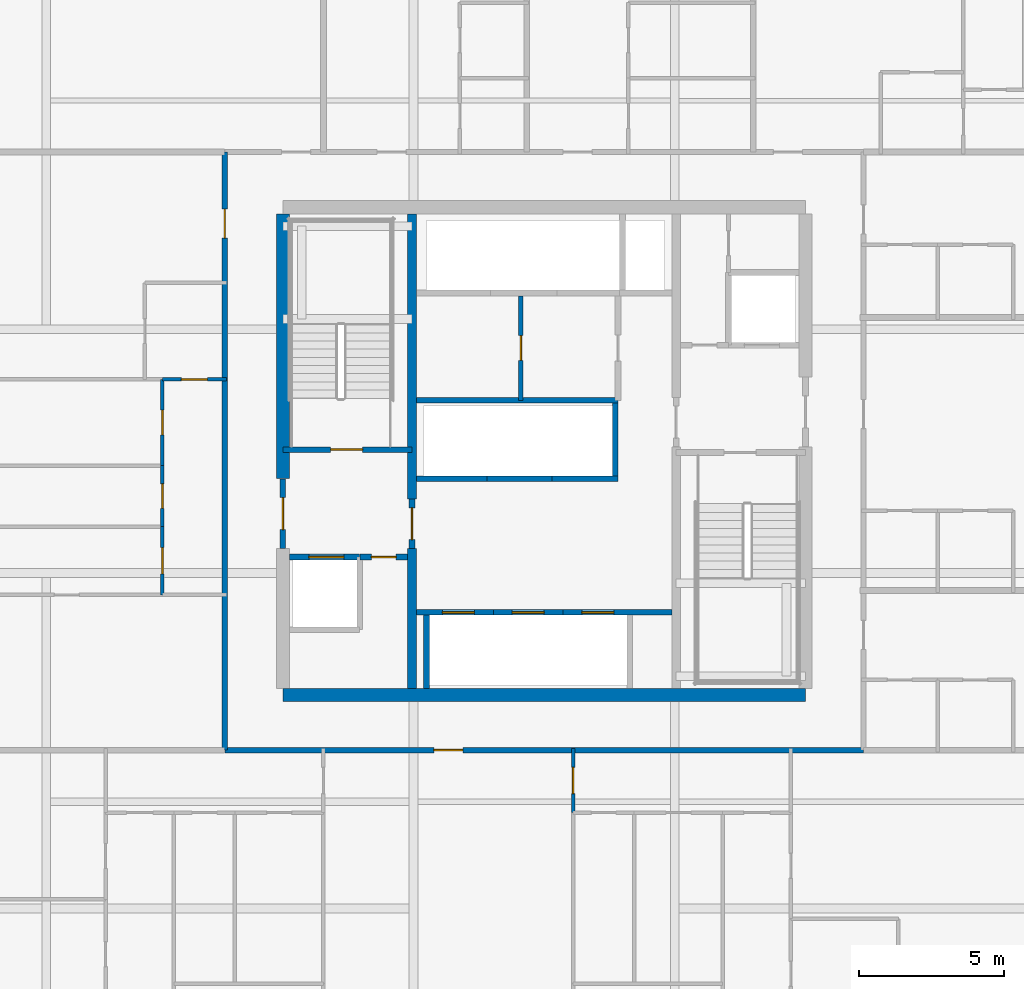
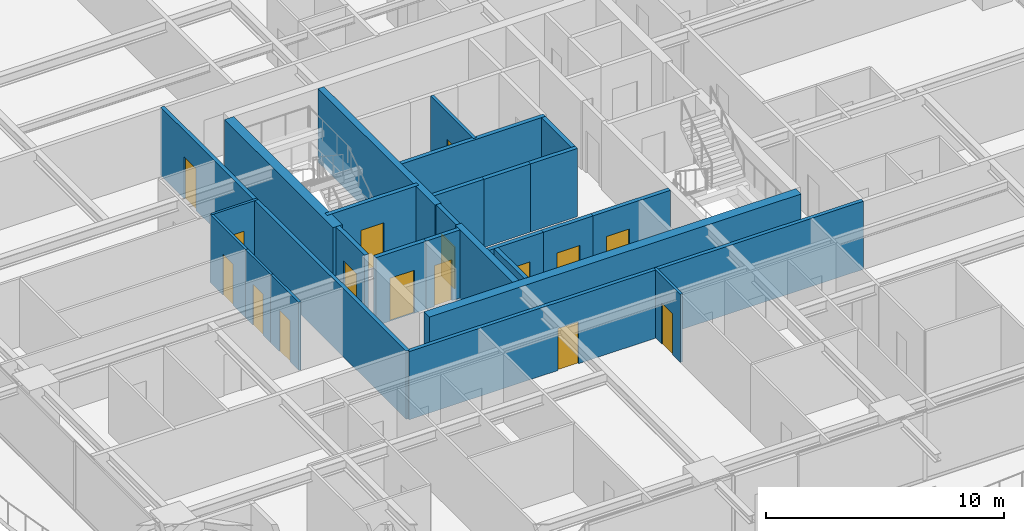
# One storey, part 28 of 40: 26 walls, 16 doors, 16 openings.
"""IFC4 building model written with IfcOpenShell, lengths in metres."""

from ifc_helpers import new_model, si_unit, direction, frame, frame_2d, origin, place, context, subcontext, project, spatial, rectangle, extrude, source, transform, mapped, material, layer, layer_set, type_object, element, fill, save


model = new_model("IFC4")

# Units and contexts
model_context = context("Model", 3, precision=1e-05, world=origin(), true_north=direction((0.0, 1.0)))
body_context = subcontext(model_context, "Body", "Model", "MODEL_VIEW")
ifc_project = project(units=[si_unit("LENGTHUNIT", "METRE"), si_unit("AREAUNIT", "SQUARE_METRE"), si_unit("VOLUMEUNIT", "CUBIC_METRE"), si_unit("PLANEANGLEUNIT", "RADIAN"), si_unit("MASSUNIT", "GRAM", prefix="KILO")], contexts=[model_context])

# Site, building, storey
site_placement = place(None, origin())
site = spatial("IfcSite", under=ifc_project, at=site_placement, CompositionType="ELEMENT")
building_placement = place(site_placement, origin())
building = spatial("IfcBuilding", under=site, at=building_placement, Name="Serunith Strait Residences", CompositionType="ELEMENT")
storey_placement = place(building_placement, frame((0.0, 0.0, 90.449951171875)))
storey = spatial("IfcBuildingStorey", under=building, at=storey_placement, Name="L22", CompositionType="ELEMENT", Elevation=90.449951171875)

# Wall, opening, door
ifc_material_1 = material(Name="Fire-rated masonry service closet wall", Category="masonry")
ifc_layer_1 = layer(ifc_material_1, 0.14990234375, Name="Fire-rated masonry service closet wall")
ifc_layer_set_1 = layer_set([ifc_layer_1], Name="Fire-rated masonry service closet wall")
wall_type_1 = type_object("IfcWallType", Name="IW-BOH-150", PredefinedType="PARTITIONING", material=ifc_layer_set_1)
wall_1_placement = place(storey_placement, frame((31.60009765625, 26.949951171875, 0.0), z_axis=(0.0, 0.0, 1.0), x_axis=(0.0, 1.0, 0.0)))
wall_1 = element("IfcWall", 1, at=wall_1_placement, inside=storey, type_object=wall_type_1, Name="L22 Partition Wall 014", PredefinedType="PARTITIONING", context=body_context, shape_type="SweptSolid", body=[
    extrude(rectangle(XDim=3.60009765625, YDim=0.14990234375, at=frame_2d((1.800048828125, 0.0))), origin(), (0.0, 0.0, 1.0), 3.489990234375),
])
opening_1_placement = place(wall_1_placement, frame((1.375, 0.0, 0.0)))
opening_1 = element("IfcOpeningElement", 2, at=opening_1_placement, cuts=wall_1, Name="Opening FD-850", PredefinedType="OPENING", context=body_context, shape_type="SweptSolid", body=[
    extrude(rectangle(XDim=0.85009765625, YDim=2.10009765625, at=frame_2d((0.425048828125, 1.050048828125))), frame((0.0, 0.0849609375, 0.0), z_axis=(0.0, -1.0, 0.0), x_axis=(1.0, 0.0, 0.0)), (0.0, 0.0, 1.0), 0.169921875),
])
ifc_material_2 = material(Name="Powder-coated steel service closet door", Category="steel")
door_type_1 = type_object("IfcDoorType", Name="FD-BOH-850", OperationType="NOTDEFINED", PredefinedType="DOOR", material=ifc_material_2)
shared_shape_1 = source(origin(), body_context, "Body", "SweptSolid", [
    extrude(rectangle(XDim=0.85009765625, YDim=2.10009765625, at=frame_2d((0.425048828125, 1.050048828125))), frame((0.0, 0.02490234375, 0.0), z_axis=(0.0, -1.0, 0.0), x_axis=(1.0, 0.0, 0.0)), (0.0, 0.0, 1.0), 0.050048828125),
])
door_1_placement = place(opening_1_placement, origin())
door_1 = element("IfcDoor", 3, at=door_1_placement, inside=storey, type_object=door_type_1, Name="L22 Zone Telecoms Door", OperationType="SINGLE_SWING_RIGHT", OverallHeight=2.10009765625, OverallWidth=0.85009765625, PredefinedType="DOOR", context=body_context, shape_type="MappedRepresentation", body=[
    mapped(shared_shape_1, transform((0.0, 0.0, 0.0), scale=1.0)),
])
fill(opening_1, door_1)

ifc_material_3 = material(Name="Fire-rated acoustic gypsum partition")
ifc_layer_2 = layer(ifc_material_3, 0.179931640625, Name="Fire-rated acoustic gypsum partition")
ifc_layer_set_2 = layer_set([ifc_layer_2], Name="Fire-rated acoustic gypsum partition")
wall_type_2 = type_object("IfcWallType", Name="IW-CORR-180", PredefinedType="PARTITIONING", material=ifc_layer_set_2)
wall_2_placement = place(storey_placement, frame((21.402099609375, 14.89990234375, 0.0), z_axis=(0.0, 0.0, 1.0), x_axis=(1.0, 0.0, 0.0)))
wall_2 = element("IfcWall", 4, at=wall_2_placement, inside=storey, type_object=wall_type_2, Name="L22 Partition Wall 024", PredefinedType="PARTITIONING", context=body_context, shape_type="SweptSolid", body=[
    extrude(rectangle(XDim=21.995849609375, YDim=0.179931640625, at=frame_2d((10.998046875, 0.0))), origin(), (0.0, 0.0, 1.0), 3.489990234375),
])
opening_2_placement = place(wall_2_placement, frame((7.201904296875, 0.0, 0.0)))
opening_2 = element("IfcOpeningElement", 5, at=opening_2_placement, cuts=wall_2, Name="Opening D-APT1000", PredefinedType="OPENING", context=body_context, shape_type="SweptSolid", body=[
    extrude(rectangle(XDim=1.0, YDim=2.14990234375, at=frame_2d((0.5, 1.074951171875))), frame((0.0, 0.10009765625, 0.0), z_axis=(0.0, -1.0, 0.0), x_axis=(1.0, 0.0, 0.0)), (0.0, 0.0, 1.0), 0.199951171875),
])
ifc_material_4 = material(Name="Solid timber engineered fire door", Category="wood")
door_type_2 = type_object("IfcDoorType", Name="ID-APT-1000", OperationType="NOTDEFINED", PredefinedType="DOOR", material=ifc_material_4)
shared_shape_2 = source(origin(), body_context, "Body", "SweptSolid", [
    extrude(rectangle(XDim=1.0, YDim=2.14990234375, at=frame_2d((0.5, 1.074951171875))), frame((0.0, 0.02490234375, 0.0), z_axis=(0.0, -1.0, 0.0), x_axis=(1.0, 0.0, 0.0)), (0.0, 0.0, 1.0), 0.050048828125),
])
door_2_placement = place(opening_2_placement, origin())
door_2 = element("IfcDoor", 6, at=door_2_placement, inside=storey, type_object=door_type_2, Name="L22 Unit 01 Entrance Door", OperationType="SINGLE_SWING_LEFT", OverallHeight=2.14990234375, OverallWidth=1.0, PredefinedType="DOOR", context=body_context, shape_type="MappedRepresentation", body=[
    mapped(shared_shape_2, transform((0.0, 0.0, 0.0), scale=1.0)),
])
fill(opening_2, door_2)

wall_3_placement = place(storey_placement, frame((21.39990234375, 14.89990234375, 0.0), z_axis=(0.0, 0.0, 1.0), x_axis=(0.0, 1.0, 0.0)))
wall_3 = element("IfcWall", 7, at=wall_3_placement, inside=storey, type_object=wall_type_2, Name="L22 Partition Wall 026", PredefinedType="PARTITIONING", context=body_context, shape_type="SweptSolid", body=[
    extrude(rectangle(XDim=20.60009765625, YDim=0.179931640625, at=frame_2d((10.300048828125, 0.0))), origin(), (0.0, 0.0, 1.0), 3.489990234375),
])
opening_3_placement = place(wall_3_placement, frame((17.639892578125, 0.0, 0.0)))
opening_3 = element("IfcOpeningElement", 8, at=opening_3_placement, cuts=wall_3, Name="Opening D-APT1000", PredefinedType="OPENING", context=body_context, shape_type="SweptSolid", body=[
    extrude(rectangle(XDim=1.0, YDim=2.14990234375, at=frame_2d((0.5, 1.074951171875))), frame((0.0, 0.10009765625, 0.0), z_axis=(0.0, -1.0, 0.0), x_axis=(1.0, 0.0, 0.0)), (0.0, 0.0, 1.0), 0.199951171875),
])
door_3_placement = place(opening_3_placement, origin())
door_3 = element("IfcDoor", 9, at=door_3_placement, inside=storey, type_object=door_type_2, Name="L22 Unit 06 Entrance Door", OperationType="SINGLE_SWING_RIGHT", OverallHeight=2.14990234375, OverallWidth=1.0, PredefinedType="DOOR", context=body_context, shape_type="MappedRepresentation", body=[
    mapped(shared_shape_2, transform((0.0, 0.0, 0.0), scale=1.0)),
])
fill(opening_3, door_3)

ifc_material_5 = material(Name="Lightweight steel-stud gypsum partition", Category="steel")
ifc_layer_3 = layer(ifc_material_5, 0.1201171875, Name="Lightweight steel-stud gypsum partition")
ifc_layer_set_3 = layer_set([ifc_layer_3], Name="Lightweight steel-stud gypsum partition")
wall_type_3 = type_object("IfcWallType", Name="IW-PART-120", PredefinedType="PARTITIONING", material=ifc_layer_set_3)
wall_4_placement = place(storey_placement, frame((33.39990234375, 12.75, 0.0), z_axis=(0.0, 0.0, 1.0), x_axis=(0.0, 1.0, 0.0)))
wall_4 = element("IfcWall", 10, at=wall_4_placement, inside=storey, type_object=wall_type_3, Name="L22 Partition Wall 043", PredefinedType="PARTITIONING", context=body_context, shape_type="SweptSolid", body=[
    extrude(rectangle(XDim=2.2099609375, YDim=0.1201171875, at=frame_2d((1.10498046875, 0.0))), origin(), (0.0, 0.0, 1.0), 3.489990234375),
])
opening_4_placement = place(wall_4_placement, frame((0.655029296875, 0.0, 0.0)))
opening_4 = element("IfcOpeningElement", 11, at=opening_4_placement, cuts=wall_4, Name="Opening D-RM900", PredefinedType="OPENING", context=body_context, shape_type="SweptSolid", body=[
    extrude(rectangle(XDim=0.89990234375, YDim=2.10009765625, at=frame_2d((0.449951171875, 1.050048828125))), frame((0.0, 0.070068359375, 0.0), z_axis=(0.0, -1.0, 0.0), x_axis=(1.0, 0.0, 0.0)), (0.0, 0.0, 1.0), 0.14013671875),
])
ifc_material_6 = material(Name="Engineered timber flush bedroom door", Category="wood")
door_type_3 = type_object("IfcDoorType", Name="ID-ROOM-900", OperationType="NOTDEFINED", PredefinedType="DOOR", material=ifc_material_6)
shared_shape_3 = source(origin(), body_context, "Body", "SweptSolid", [
    extrude(rectangle(XDim=0.89990234375, YDim=2.10009765625, at=frame_2d((0.449951171875, 1.050048828125))), frame((0.0, 0.02490234375, 0.0), z_axis=(0.0, -1.0, 0.0), x_axis=(1.0, 0.0, 0.0)), (0.0, 0.0, 1.0), 0.050048828125),
])
door_4_placement = place(opening_4_placement, origin())
door_4 = element("IfcDoor", 12, at=door_4_placement, inside=storey, type_object=door_type_3, Name="L22 Hall E 2201 Door", OperationType="SINGLE_SWING_LEFT", OverallHeight=2.10009765625, OverallWidth=0.89990234375, PredefinedType="DOOR", context=body_context, shape_type="MappedRepresentation", body=[
    mapped(shared_shape_3, transform((0.0, 0.0, 0.0), scale=1.0)),
])
fill(opening_4, door_4)

wall_5_placement = place(storey_placement, frame((19.25, 27.669921875, 0.0), z_axis=(0.0, 0.0, 1.0), x_axis=(1.0, 0.0, 0.0)))
wall_5 = element("IfcWall", 13, at=wall_5_placement, inside=storey, type_object=wall_type_3, Name="L22 Partition Wall 087", PredefinedType="PARTITIONING", context=body_context, shape_type="SweptSolid", body=[
    extrude(rectangle(XDim=2.2099609375, YDim=0.1201171875, at=frame_2d((1.10498046875, 0.0))), origin(), (0.0, 0.0, 1.0), 3.489990234375),
])
opening_5_placement = place(wall_5_placement, frame((0.655029296875, 0.0, 0.0)))
opening_5 = element("IfcOpeningElement", 14, at=opening_5_placement, cuts=wall_5, Name="Opening D-RM900", PredefinedType="OPENING", context=body_context, shape_type="SweptSolid", body=[
    extrude(rectangle(XDim=0.89990234375, YDim=2.10009765625, at=frame_2d((0.449951171875, 1.050048828125))), frame((0.0, 0.070068359375, 0.0), z_axis=(0.0, -1.0, 0.0), x_axis=(1.0, 0.0, 0.0)), (0.0, 0.0, 1.0), 0.14013671875),
])
door_5_placement = place(opening_5_placement, origin())
door_5 = element("IfcDoor", 15, at=door_5_placement, inside=storey, type_object=door_type_3, Name="L22 Hall W 2206 Door", OperationType="SINGLE_SWING_LEFT", OverallHeight=2.10009765625, OverallWidth=0.89990234375, PredefinedType="DOOR", context=body_context, shape_type="MappedRepresentation", body=[
    mapped(shared_shape_3, transform((0.0, 0.0, 0.0), scale=1.0)),
])
fill(opening_5, door_5)

wall_6_placement = place(storey_placement, frame((19.25, 22.60009765625, 0.0), z_axis=(0.0, 0.0, 1.0), x_axis=(0.0, 1.0, 0.0)))
wall_6 = element("IfcWall", 16, at=wall_6_placement, inside=storey, type_object=wall_type_3, Name="L22 Partition Wall 093", PredefinedType="PARTITIONING", context=body_context, shape_type="SweptSolid", body=[
    extrude(rectangle(XDim=2.099853515625, YDim=0.1201171875, at=frame_2d((1.0498046875, 0.0))), origin(), (0.0, 0.0, 1.0), 3.489990234375),
])
opening_6_placement = place(wall_6_placement, frame((0.625, 0.0, 0.0)))
opening_6 = element("IfcOpeningElement", 17, at=opening_6_placement, cuts=wall_6, Name="Opening D-BTH850", PredefinedType="OPENING", context=body_context, shape_type="SweptSolid", body=[
    extrude(rectangle(XDim=0.85009765625, YDim=2.10009765625, at=frame_2d((0.425048828125, 1.050048828125))), frame((0.0, 0.070068359375, 0.0), z_axis=(0.0, -1.0, 0.0), x_axis=(1.0, 0.0, 0.0)), (0.0, 0.0, 1.0), 0.14013671875),
])
ifc_material_7 = material(Name="Moisture-resistant timber bathroom door", Category="wood")
door_type_4 = type_object("IfcDoorType", Name="ID-BATH-850", OperationType="NOTDEFINED", PredefinedType="DOOR", material=ifc_material_7)
door_6_placement = place(opening_6_placement, origin())
door_6 = element("IfcDoor", 18, at=door_6_placement, inside=storey, type_object=door_type_4, Name="L22 Bathroom 2206 Door", OperationType="SINGLE_SWING_LEFT", OverallHeight=2.10009765625, OverallWidth=0.85009765625, PredefinedType="DOOR", context=body_context, shape_type="MappedRepresentation", body=[
    mapped(shared_shape_1, transform((0.0, 0.0, 0.0), scale=1.0)),
])
fill(opening_6, door_6)

wall_7_placement = place(storey_placement, frame((19.25, 24.701904296875, 0.0), z_axis=(0.0, 0.0, 1.0), x_axis=(0.0, 1.0, 0.0)))
wall_7 = element("IfcWall", 19, at=wall_7_placement, inside=storey, type_object=wall_type_3, Name="L22 Partition Wall 094", PredefinedType="PARTITIONING", context=body_context, shape_type="SweptSolid", body=[
    extrude(rectangle(XDim=2.968017578125, YDim=0.1201171875, at=frame_2d((1.48388671875, 0.0))), origin(), (0.0, 0.0, 1.0), 3.489990234375),
])
opening_7_placement = place(wall_7_placement, frame((1.05908203125, 0.0, 0.0)))
opening_7 = element("IfcOpeningElement", 20, at=opening_7_placement, cuts=wall_7, Name="Opening D-RM850", PredefinedType="OPENING", context=body_context, shape_type="SweptSolid", body=[
    extrude(rectangle(XDim=0.85009765625, YDim=2.10009765625, at=frame_2d((0.425048828125, 1.050048828125))), frame((0.0, 0.070068359375, 0.0), z_axis=(0.0, -1.0, 0.0), x_axis=(1.0, 0.0, 0.0)), (0.0, 0.0, 1.0), 0.14013671875),
])
ifc_material_8 = material(Name="Engineered timber flush study and kitchen door", Category="wood")
door_type_5 = type_object("IfcDoorType", Name="ID-ROOM-850", OperationType="NOTDEFINED", PredefinedType="DOOR", material=ifc_material_8)
door_7_placement = place(opening_7_placement, origin())
door_7 = element("IfcDoor", 21, at=door_7_placement, inside=storey, type_object=door_type_5, Name="L22 Study 2206 Door", OperationType="SINGLE_SWING_RIGHT", OverallHeight=2.10009765625, OverallWidth=0.85009765625, PredefinedType="DOOR", context=body_context, shape_type="MappedRepresentation", body=[
    mapped(shared_shape_1, transform((0.0, 0.0, 0.0), scale=1.0)),
])
fill(opening_7, door_7)

wall_8_placement = place(storey_placement, frame((19.25, 20.25, 0.0), z_axis=(0.0, 0.0, 1.0), x_axis=(0.0, 1.0, 0.0)))
wall_8 = element("IfcWall", 22, at=wall_8_placement, inside=storey, type_object=wall_type_3, Name="L22 Partition Wall 095", PredefinedType="PARTITIONING", context=body_context, shape_type="SweptSolid", body=[
    extrude(rectangle(XDim=2.347900390625, YDim=0.1201171875, at=frame_2d((1.173828125, 0.0))), origin(), (0.0, 0.0, 1.0), 3.489990234375),
])
opening_8_placement = place(wall_8_placement, frame((0.72412109375, 0.0, 0.0)))
opening_8 = element("IfcOpeningElement", 23, at=opening_8_placement, cuts=wall_8, Name="Opening D-RM900", PredefinedType="OPENING", context=body_context, shape_type="SweptSolid", body=[
    extrude(rectangle(XDim=0.89990234375, YDim=2.10009765625, at=frame_2d((0.449951171875, 1.050048828125))), frame((0.0, 0.070068359375, 0.0), z_axis=(0.0, -1.0, 0.0), x_axis=(1.0, 0.0, 0.0)), (0.0, 0.0, 1.0), 0.14013671875),
])
door_8_placement = place(opening_8_placement, origin())
door_8 = element("IfcDoor", 24, at=door_8_placement, inside=storey, type_object=door_type_3, Name="L22 Master Bedroom W 2206 Door", OperationType="SINGLE_SWING_LEFT", OverallHeight=2.10009765625, OverallWidth=0.89990234375, PredefinedType="DOOR", context=body_context, shape_type="MappedRepresentation", body=[
    mapped(shared_shape_3, transform((0.0, 0.0, 0.0), scale=1.0)),
])
fill(opening_8, door_8)

ifc_material_9 = material(Name="Autoclaved aerated concrete blockwork", Category="masonry")
ifc_layer_4 = layer(ifc_material_9, 0.199951171875, Name="Autoclaved aerated concrete blockwork")
ifc_layer_set_4 = layer_set([ifc_layer_4], Name="Autoclaved aerated concrete blockwork")
wall_type_4 = type_object("IfcWallType", Name="IW-SHAFT-200", PredefinedType="STANDARD", material=ifc_layer_set_4)
wall_9_placement = place(storey_placement, frame((23.39990234375, 25.25, 0.0), z_axis=(0.0, 0.0, 1.0), x_axis=(1.0, 0.0, 0.0)))
wall_9 = element("IfcWall", 25, at=wall_9_placement, inside=storey, type_object=wall_type_4, Name="L22 ST-1 South Shaft Wall", PredefinedType="STANDARD", context=body_context, shape_type="SweptSolid", body=[
    extrude(rectangle(XDim=4.4501953125, YDim=0.199951171875, at=frame_2d((2.22509765625, 0.0))), origin(), (0.0, 0.0, 1.0), 3.489990234375),
])
opening_9_placement = place(wall_9_placement, frame((1.64990234375, 0.0, 0.0)))
opening_9 = element("IfcOpeningElement", 26, at=opening_9_placement, cuts=wall_9, Name="Opening FD-1100", PredefinedType="OPENING", context=body_context, shape_type="SweptSolid", body=[
    extrude(rectangle(XDim=1.10009765625, YDim=2.14990234375, at=frame_2d((0.550048828125, 1.074951171875))), frame((0.0, 0.10986328125, 0.0), z_axis=(0.0, -1.0, 0.0), x_axis=(1.0, 0.0, 0.0)), (0.0, 0.0, 1.0), 0.219970703125),
])
ifc_material_10 = material(Name="Galvanised steel fire door leaf", Category="steel")
door_type_6 = type_object("IfcDoorType", Name="FD-STAIR-1100", OperationType="NOTDEFINED", PredefinedType="DOOR", material=ifc_material_10)
shared_shape_4 = source(origin(), body_context, "Body", "SweptSolid", [
    extrude(rectangle(XDim=1.10009765625, YDim=2.14990234375, at=frame_2d((0.550048828125, 1.074951171875))), frame((0.0, 0.02490234375, 0.0), z_axis=(0.0, -1.0, 0.0), x_axis=(1.0, 0.0, 0.0)), (0.0, 0.0, 1.0), 0.050048828125),
])
door_9_placement = place(opening_9_placement, origin())
door_9 = element("IfcDoor", 27, at=door_9_placement, inside=storey, type_object=door_type_6, Name="L22 ST-1 Escape Stair Door", OperationType="SINGLE_SWING_RIGHT", OverallHeight=2.14990234375, OverallWidth=1.10009765625, PredefinedType="DOOR", context=body_context, shape_type="MappedRepresentation", body=[
    mapped(shared_shape_4, transform((0.0, 0.0, 0.0), scale=1.0)),
])
fill(opening_9, door_9)

wall_10_placement = place(storey_placement, frame((23.625, 21.550048828125, 0.0), z_axis=(0.0, 0.0, 1.0), x_axis=(1.0, 0.0, 0.0)))
wall_10 = element("IfcWall", 28, at=wall_10_placement, inside=storey, type_object=wall_type_4, Name="L22 FL-1 North Shaft Wall", PredefinedType="STANDARD", context=body_context, shape_type="SweptSolid", body=[
    extrude(rectangle(XDim=2.425048828125, YDim=0.199951171875, at=frame_2d((1.21240234375, 0.0))), origin(), (0.0, 0.0, 1.0), 3.489990234375),
])
opening_10_placement = place(wall_10_placement, frame((0.675048828125, 0.0, 0.0)))
opening_10 = element("IfcOpeningElement", 29, at=opening_10_placement, cuts=wall_10, Name="Opening LD-FF1200", PredefinedType="OPENING", context=body_context, shape_type="SweptSolid", body=[
    extrude(rectangle(XDim=1.199951171875, YDim=2.199951171875, at=frame_2d((0.60009765625, 1.10009765625))), frame((0.0, 0.10986328125, 0.0), z_axis=(0.0, -1.0, 0.0), x_axis=(1.0, 0.0, 0.0)), (0.0, 0.0, 1.0), 0.219970703125),
])
ifc_material_11 = material(Name="Brushed stainless steel landing door", Category="steel")
door_type_7 = type_object("IfcDoorType", Name="LD-FF-1200", OperationType="DOUBLE_DOOR_SLIDING", PredefinedType="DOOR", material=ifc_material_11)
shared_shape_5 = source(origin(), body_context, "Body", "SweptSolid", [
    extrude(rectangle(XDim=1.199951171875, YDim=2.199951171875, at=frame_2d((0.60009765625, 1.10009765625))), frame((0.0, 0.02490234375, 0.0), z_axis=(0.0, -1.0, 0.0), x_axis=(1.0, 0.0, 0.0)), (0.0, 0.0, 1.0), 0.050048828125),
])
door_10_placement = place(opening_10_placement, origin())
door_10 = element("IfcDoor", 30, at=door_10_placement, inside=storey, type_object=door_type_7, Name="L22 FL-1 Landing Door", OperationType="DOUBLE_DOOR_SLIDING", OverallHeight=2.199951171875, OverallWidth=1.199951171875, PredefinedType="DOOR", context=body_context, shape_type="MappedRepresentation", body=[
    mapped(shared_shape_5, transform((0.0, 0.0, 0.0), scale=1.0)),
])
fill(opening_10, door_10)

wall_11_placement = place(storey_placement, frame((28.0, 19.64990234375, 0.0), z_axis=(0.0, 0.0, 1.0), x_axis=(1.0, 0.0, 0.0)))
wall_11 = element("IfcWall", 31, at=wall_11_placement, inside=storey, type_object=wall_type_4, Name="L22 PL-1 North Shaft Wall", PredefinedType="STANDARD", context=body_context, shape_type="SweptSolid", body=[
    extrude(rectangle(XDim=2.64990234375, YDim=0.199951171875, at=frame_2d((1.324951171875, 0.0))), origin(), (0.0, 0.0, 1.0), 3.489990234375),
])
opening_11_placement = place(wall_11_placement, frame((0.89990234375, 0.0, 0.0)))
opening_11 = element("IfcOpeningElement", 32, at=opening_11_placement, cuts=wall_11, Name="Opening LD-1100", PredefinedType="OPENING", context=body_context, shape_type="SweptSolid", body=[
    extrude(rectangle(XDim=1.10009765625, YDim=2.199951171875, at=frame_2d((0.550048828125, 1.10009765625))), frame((0.0, 0.10986328125, 0.0), z_axis=(0.0, -1.0, 0.0), x_axis=(1.0, 0.0, 0.0)), (0.0, 0.0, 1.0), 0.219970703125),
])
ifc_material_12 = material(Name="Pale-champagne stainless landing door")
door_type_8 = type_object("IfcDoorType", Name="LD-LIFT-1100", OperationType="DOUBLE_DOOR_SLIDING", PredefinedType="DOOR", material=ifc_material_12)
shared_shape_6 = source(origin(), body_context, "Body", "SweptSolid", [
    extrude(rectangle(XDim=1.10009765625, YDim=2.199951171875, at=frame_2d((0.550048828125, 1.10009765625))), frame((0.0, 0.02490234375, 0.0), z_axis=(0.0, -1.0, 0.0), x_axis=(1.0, 0.0, 0.0)), (0.0, 0.0, 1.0), 0.050048828125),
])
door_11_placement = place(opening_11_placement, origin())
door_11 = element("IfcDoor", 33, at=door_11_placement, inside=storey, type_object=door_type_8, Name="L22 PL-1 Landing Door", OperationType="DOUBLE_DOOR_SLIDING", OverallHeight=2.199951171875, OverallWidth=1.10009765625, PredefinedType="DOOR", context=body_context, shape_type="MappedRepresentation", body=[
    mapped(shared_shape_6, transform((0.0, 0.0, 0.0), scale=1.0)),
])
fill(opening_11, door_11)

# Wall
wall_12_placement = place(storey_placement, frame((28.35009765625, 17.02490234375, 0.0), z_axis=(0.0, 0.0, 1.0), x_axis=(0.0, 1.0, 0.0)))
element("IfcWall", 34, at=wall_12_placement, inside=storey, type_object=wall_type_4, Name="L22 PL-1 West Shaft Wall", PredefinedType="STANDARD", context=body_context, shape_type="SweptSolid", body=[
    extrude(rectangle(XDim=2.525146484375, YDim=0.199951171875, at=frame_2d((1.2626953125, 0.0))), origin(), (0.0, 0.0, 1.0), 3.489990234375),
])

# Wall, opening, door
wall_13_placement = place(storey_placement, frame((30.64990234375, 19.64990234375, 0.0), z_axis=(0.0, 0.0, 1.0), x_axis=(1.0, 0.0, 0.0)))
wall_13 = element("IfcWall", 35, at=wall_13_placement, inside=storey, type_object=wall_type_4, Name="L22 PL-2 North Shaft Wall", PredefinedType="STANDARD", context=body_context, shape_type="SweptSolid", body=[
    extrude(rectangle(XDim=2.400146484375, YDim=0.199951171875, at=frame_2d((1.2001953125, 0.0))), origin(), (0.0, 0.0, 1.0), 3.489990234375),
])
opening_12_placement = place(wall_13_placement, frame((0.64990234375, 0.0, 0.0)))
opening_12 = element("IfcOpeningElement", 36, at=opening_12_placement, cuts=wall_13, Name="Opening LD-1100", PredefinedType="OPENING", context=body_context, shape_type="SweptSolid", body=[
    extrude(rectangle(XDim=1.10009765625, YDim=2.199951171875, at=frame_2d((0.550048828125, 1.10009765625))), frame((0.0, 0.10986328125, 0.0), z_axis=(0.0, -1.0, 0.0), x_axis=(1.0, 0.0, 0.0)), (0.0, 0.0, 1.0), 0.219970703125),
])
door_12_placement = place(opening_12_placement, origin())
door_12 = element("IfcDoor", 37, at=door_12_placement, inside=storey, type_object=door_type_8, Name="L22 PL-2 Landing Door", OperationType="DOUBLE_DOOR_SLIDING", OverallHeight=2.199951171875, OverallWidth=1.10009765625, PredefinedType="DOOR", context=body_context, shape_type="MappedRepresentation", body=[
    mapped(shared_shape_6, transform((0.0, 0.0, 0.0), scale=1.0)),
])
fill(opening_12, door_12)

wall_14_placement = place(storey_placement, frame((33.050048828125, 19.64990234375, 0.0), z_axis=(0.0, 0.0, 1.0), x_axis=(1.0, 0.0, 0.0)))
wall_14 = element("IfcWall", 38, at=wall_14_placement, inside=storey, type_object=wall_type_4, Name="L22 PL-3 North Shaft Wall", PredefinedType="STANDARD", context=body_context, shape_type="SweptSolid", body=[
    extrude(rectangle(XDim=3.75, YDim=0.199951171875, at=frame_2d((1.875, 0.0))), origin(), (0.0, 0.0, 1.0), 3.489990234375),
])
opening_13_placement = place(wall_14_placement, frame((0.64990234375, 0.0, 0.0)))
opening_13 = element("IfcOpeningElement", 39, at=opening_13_placement, cuts=wall_14, Name="Opening LD-1100", PredefinedType="OPENING", context=body_context, shape_type="SweptSolid", body=[
    extrude(rectangle(XDim=1.10009765625, YDim=2.199951171875, at=frame_2d((0.550048828125, 1.10009765625))), frame((0.0, 0.10986328125, 0.0), z_axis=(0.0, -1.0, 0.0), x_axis=(1.0, 0.0, 0.0)), (0.0, 0.0, 1.0), 0.219970703125),
])
door_13_placement = place(opening_13_placement, origin())
door_13 = element("IfcDoor", 40, at=door_13_placement, inside=storey, type_object=door_type_8, Name="L22 PL-3 Landing Door", OperationType="DOUBLE_DOOR_SLIDING", OverallHeight=2.199951171875, OverallWidth=1.10009765625, PredefinedType="DOOR", context=body_context, shape_type="MappedRepresentation", body=[
    mapped(shared_shape_6, transform((0.0, 0.0, 0.0), scale=1.0)),
])
fill(opening_13, door_13)

# Walls
wall_15_placement = place(storey_placement, frame((28.0, 24.25, 0.0), z_axis=(0.0, 0.0, 1.0), x_axis=(1.0, 0.0, 0.0)))
element("IfcWall", 41, at=wall_15_placement, inside=storey, type_object=wall_type_4, Name="L22 PL-4 South Shaft Wall", PredefinedType="STANDARD", context=body_context, shape_type="SweptSolid", body=[
    extrude(rectangle(XDim=2.425048828125, YDim=0.199951171875, at=frame_2d((1.21240234375, 0.0))), origin(), (0.0, 0.0, 1.0), 3.489990234375),
])
wall_16_placement = place(storey_placement, frame((30.425048828125, 24.25, 0.0), z_axis=(0.0, 0.0, 1.0), x_axis=(1.0, 0.0, 0.0)))
element("IfcWall", 42, at=wall_16_placement, inside=storey, type_object=wall_type_4, Name="L22 PL-5 South Shaft Wall", PredefinedType="STANDARD", context=body_context, shape_type="SweptSolid", body=[
    extrude(rectangle(XDim=2.25, YDim=0.199951171875, at=frame_2d((1.125, 0.0))), origin(), (0.0, 0.0, 1.0), 3.489990234375),
])
wall_17_placement = place(storey_placement, frame((32.675048828125, 24.25, 0.0), z_axis=(0.0, 0.0, 1.0), x_axis=(1.0, 0.0, 0.0)))
element("IfcWall", 43, at=wall_17_placement, inside=storey, type_object=wall_type_4, Name="L22 PL-6 South Shaft Wall", PredefinedType="STANDARD", context=body_context, shape_type="SweptSolid", body=[
    extrude(rectangle(XDim=2.27490234375, YDim=0.199951171875, at=frame_2d((1.137451171875, 0.0))), origin(), (0.0, 0.0, 1.0), 3.489990234375),
])
wall_18_placement = place(storey_placement, frame((34.85009765625, 24.35009765625, 0.0), z_axis=(0.0, 0.0, 1.0), x_axis=(0.0, 1.0, 0.0)))
element("IfcWall", 44, at=wall_18_placement, inside=storey, type_object=wall_type_4, Name="L22 PL-6 East Shaft Wall", PredefinedType="STANDARD", context=body_context, shape_type="SweptSolid", body=[
    extrude(rectangle(XDim=2.5, YDim=0.199951171875, at=frame_2d((1.25, 0.0))), origin(), (0.0, 0.0, 1.0), 3.489990234375),
])

# Wall, opening, door
wall_19_placement = place(storey_placement, frame((26.052001953125, 21.550048828125, 0.0), z_axis=(0.0, 0.0, 1.0), x_axis=(1.0, 0.0, 0.0)))
wall_19 = element("IfcWall", 45, at=wall_19_placement, inside=storey, type_object=wall_type_4, Name="L22 Partition Wall 003", PredefinedType="STANDARD", context=body_context, shape_type="SweptSolid", body=[
    extrude(rectangle(XDim=1.64794921875, YDim=0.199951171875, at=frame_2d((0.823974609375, 0.0))), origin(), (0.0, 0.0, 1.0), 3.489990234375),
])
opening_14_placement = place(wall_19_placement, frame((0.39892578125, 0.0, 0.0)))
opening_14 = element("IfcOpeningElement", 46, at=opening_14_placement, cuts=wall_19, Name="Opening FD-850", PredefinedType="OPENING", context=body_context, shape_type="SweptSolid", body=[
    extrude(rectangle(XDim=0.85009765625, YDim=2.10009765625, at=frame_2d((0.425048828125, 1.050048828125))), frame((0.0, 0.10986328125, 0.0), z_axis=(0.0, -1.0, 0.0), x_axis=(1.0, 0.0, 0.0)), (0.0, 0.0, 1.0), 0.219970703125),
])
door_14_placement = place(opening_14_placement, origin())
door_14 = element("IfcDoor", 47, at=door_14_placement, inside=storey, type_object=door_type_1, Name="L22 South-West Core Service Door", OperationType="SINGLE_SWING_RIGHT", OverallHeight=2.10009765625, OverallWidth=0.85009765625, PredefinedType="DOOR", context=body_context, shape_type="MappedRepresentation", body=[
    mapped(shared_shape_1, transform((0.0, 0.0, 0.0), scale=1.0)),
])
fill(opening_14, door_14)

wall_20_placement = place(storey_placement, frame((23.39990234375, 21.85205078125, 0.0), z_axis=(0.0, 0.0, 1.0), x_axis=(0.0, 1.0, 0.0)))
wall_20 = element("IfcWall", 48, at=wall_20_placement, inside=storey, type_object=wall_type_4, Name="L22 Partition Wall 007", PredefinedType="STANDARD", context=body_context, shape_type="SweptSolid", body=[
    extrude(rectangle(XDim=2.39599609375, YDim=0.199951171875, at=frame_2d((1.197998046875, 0.0))), origin(), (0.0, 0.0, 1.0), 3.489990234375),
])
opening_15_placement = place(wall_20_placement, frame((0.64794921875, 0.0, 0.0)))
opening_15 = element("IfcOpeningElement", 49, at=opening_15_placement, cuts=wall_20, Name="Opening FD-FFL", PredefinedType="OPENING", context=body_context, shape_type="SweptSolid", body=[
    extrude(rectangle(XDim=1.10009765625, YDim=2.14990234375, at=frame_2d((0.550048828125, 1.074951171875))), frame((0.0, 0.10986328125, 0.0), z_axis=(0.0, -1.0, 0.0), x_axis=(1.0, 0.0, 0.0)), (0.0, 0.0, 1.0), 0.219970703125),
])
ifc_material_13 = material(Name="Glazed steel smoke-lobby fire door", Category="steel")
door_type_9 = type_object("IfcDoorType", Name="FD-FFL-1100", OperationType="NOTDEFINED", PredefinedType="DOOR", material=ifc_material_13)
door_15_placement = place(opening_15_placement, origin())
door_15 = element("IfcDoor", 50, at=door_15_placement, inside=storey, type_object=door_type_9, Name="L22 FFL-1 Corridor Fire Door", OperationType="SINGLE_SWING_RIGHT", OverallHeight=2.14990234375, OverallWidth=1.10009765625, PredefinedType="DOOR", context=body_context, shape_type="MappedRepresentation", body=[
    mapped(shared_shape_4, transform((0.0, 0.0, 0.0), scale=1.0)),
])
fill(opening_15, door_15)

wall_21_placement = place(storey_placement, frame((27.85009765625, 21.85205078125, 0.0), z_axis=(0.0, 0.0, 1.0), x_axis=(0.0, 1.0, 0.0)))
wall_21 = element("IfcWall", 51, at=wall_21_placement, inside=storey, type_object=wall_type_4, Name="L22 Partition Wall 009", PredefinedType="STANDARD", context=body_context, shape_type="SweptSolid", body=[
    extrude(rectangle(XDim=1.696044921875, YDim=0.199951171875, at=frame_2d((0.84814453125, 0.0))), origin(), (0.0, 0.0, 1.0), 3.489990234375),
])
opening_16_placement = place(wall_21_placement, frame((0.298095703125, 0.0, 0.0)))
opening_16 = element("IfcOpeningElement", 52, at=opening_16_placement, cuts=wall_21, Name="Opening FD-FFL", PredefinedType="OPENING", context=body_context, shape_type="SweptSolid", body=[
    extrude(rectangle(XDim=1.10009765625, YDim=2.14990234375, at=frame_2d((0.550048828125, 1.074951171875))), frame((0.0, 0.10986328125, 0.0), z_axis=(0.0, -1.0, 0.0), x_axis=(1.0, 0.0, 0.0)), (0.0, 0.0, 1.0), 0.219970703125),
])
door_16_placement = place(opening_16_placement, origin())
door_16 = element("IfcDoor", 53, at=door_16_placement, inside=storey, type_object=door_type_9, Name="L22 FFL-1 Lift Lobby Door", OperationType="SINGLE_SWING_RIGHT", OverallHeight=2.14990234375, OverallWidth=1.10009765625, PredefinedType="DOOR", context=body_context, shape_type="MappedRepresentation", body=[
    mapped(shared_shape_4, transform((0.0, 0.0, 0.0), scale=1.0)),
])
fill(opening_16, door_16)

# Walls
wall_22_placement = place(storey_placement, frame((28.0, 26.949951171875, 0.0), z_axis=(0.0, 0.0, 1.0), x_axis=(1.0, 0.0, 0.0)))
element("IfcWall", 54, at=wall_22_placement, inside=storey, type_object=wall_type_4, Name="L22 Partition Wall 011", PredefinedType="STANDARD", context=body_context, shape_type="SweptSolid", body=[
    extrude(rectangle(XDim=6.949951171875, YDim=0.199951171875, at=frame_2d((3.47509765625, 0.0))), origin(), (0.0, 0.0, 1.0), 3.489990234375),
])
ifc_material_14 = material(Name="Concrete C80/95", Category="concrete")
ifc_layer_5 = layer(ifc_material_14, 0.300048828125, Name="Concrete C80/95")
ifc_layer_set_5 = layer_set([ifc_layer_5], Name="Concrete C80/95")
wall_type_5 = type_object("IfcWallType", Name="SW-300-C80", PredefinedType="SHEAR", material=ifc_layer_set_5)
wall_23_placement = place(storey_placement, frame((27.85009765625, 17.02490234375, -0.260009765625), z_axis=(0.0, 0.0, 1.0), x_axis=(0.0, 1.0, 0.0)))
element("IfcWall", 55, at=wall_23_placement, inside=storey, type_object=wall_type_5, Name="L22 Core Internal West Web South Pier", PredefinedType="SHEAR", context=body_context, shape_type="SweptSolid", body=[
    extrude(rectangle(XDim=4.8251953125, YDim=0.300048828125, at=frame_2d((2.41259765625, 0.0))), origin(), (0.0, 0.0, 1.0), 3.748046875),
])
wall_24_placement = place(storey_placement, frame((27.85009765625, 23.550048828125, -0.260009765625), z_axis=(0.0, 0.0, 1.0), x_axis=(0.0, 1.0, 0.0)))
element("IfcWall", 56, at=wall_24_placement, inside=storey, type_object=wall_type_5, Name="L22 Core Internal West Web North Pier", PredefinedType="SHEAR", context=body_context, shape_type="SweptSolid", body=[
    extrude(rectangle(XDim=9.824951171875, YDim=0.300048828125, at=frame_2d((4.91259765625, 0.0))), origin(), (0.0, 0.0, 1.0), 3.748046875),
])
ifc_layer_6 = layer(ifc_material_14, 0.449951171875, Name="Concrete C80/95")
ifc_layer_set_6 = layer_set([ifc_layer_6], Name="Concrete C80/95")
wall_type_6 = type_object("IfcWallType", Name="SW-450-C80", PredefinedType="SHEAR", material=ifc_layer_set_6)
wall_25_placement = place(storey_placement, frame((23.39990234375, 16.800048828125, -0.260009765625), z_axis=(0.0, 0.0, 1.0), x_axis=(1.0, 0.0, 0.0)))
element("IfcWall", 57, at=wall_25_placement, inside=storey, type_object=wall_type_6, Name="L22 Core South Shear Wall", PredefinedType="SHEAR", context=body_context, shape_type="SweptSolid", body=[
    extrude(rectangle(XDim=18.0, YDim=0.449951171875, at=frame_2d((9.0, 0.0))), origin(), (0.0, 0.0, 1.0), 3.748046875),
])
wall_26_placement = place(storey_placement, frame((23.39990234375, 24.25, -0.260009765625), z_axis=(0.0, 0.0, 1.0), x_axis=(0.0, 1.0, 0.0)))
element("IfcWall", 58, at=wall_26_placement, inside=storey, type_object=wall_type_6, Name="L22 Core West Shear Wall North Pier", PredefinedType="SHEAR", context=body_context, shape_type="SweptSolid", body=[
    extrude(rectangle(XDim=9.125, YDim=0.449951171875, at=frame_2d((4.5625, 0.0))), origin(), (0.0, 0.0, 1.0), 3.748046875),
])

save(model, "model.ifc")
